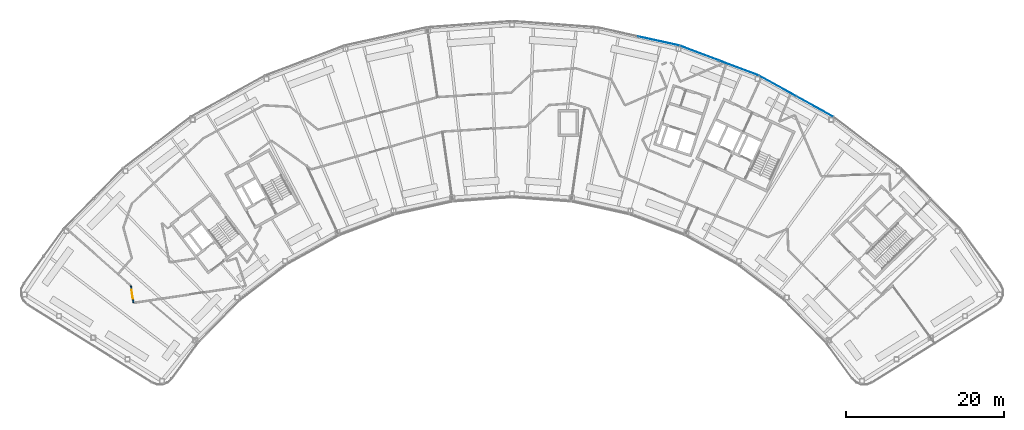
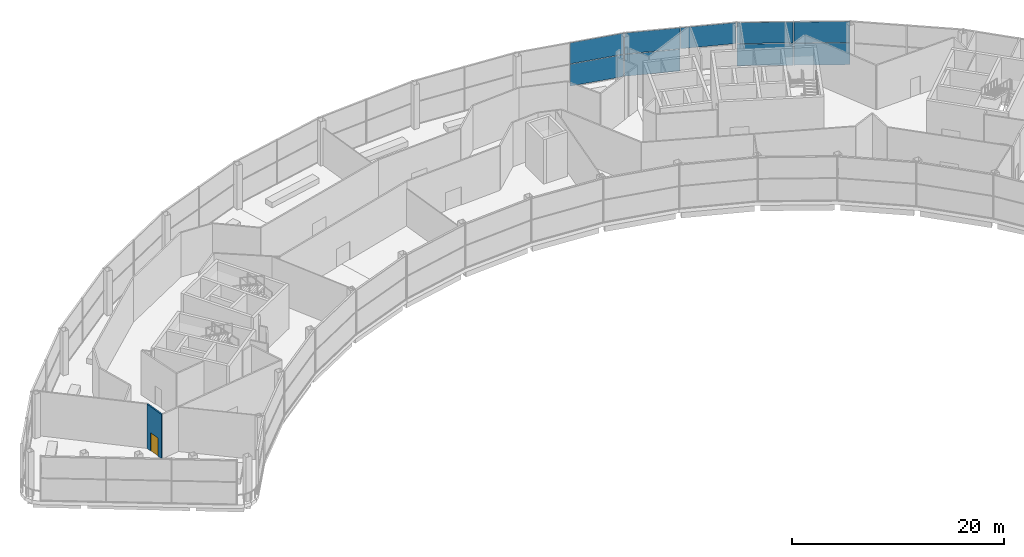
# One storey, part 35 of 43: 9 plates, 1 door, 1 wall, 1 opening, 3 elements without a shape of their own.
"""IFC4 building model written with IfcOpenShell, lengths in metres."""

from ifc_helpers import new_model, si_unit, direction, frame, frame_2d, origin, origin_2d, place, context, subcontext, project, spatial, rectangle, extrude, material, layer, layer_set, type_object, element, fill, aggregate, save


model = new_model("IFC4")

# Units and contexts
model_context = context("Model", 3, precision=1e-05, world=origin(), true_north=direction((0.0, 1.0)))
body_context = subcontext(model_context, "Body", "Model", "MODEL_VIEW")
ifc_project = project(units=[si_unit("LENGTHUNIT", "METRE"), si_unit("AREAUNIT", "SQUARE_METRE"), si_unit("VOLUMEUNIT", "CUBIC_METRE"), si_unit("PLANEANGLEUNIT", "RADIAN"), si_unit("MASSUNIT", "GRAM", prefix="KILO")], contexts=[model_context])

# Site, building, storey
site_placement = place(None, origin())
site = spatial("IfcSite", under=ifc_project, at=site_placement, CompositionType="ELEMENT")
building_placement = place(site_placement, origin())
building = spatial("IfcBuilding", under=site, at=building_placement, Name="Tuul Gate Civic Tower", CompositionType="ELEMENT")
storey_placement = place(building_placement, frame((0.0, 0.0, 349.10009765625)))
storey = spatial("IfcBuildingStorey", under=building, at=storey_placement, Name="Observation level 1", CompositionType="ELEMENT", Elevation=349.10009765625)

# Curtain wall, plates
ifc_material_1 = material(Name="Stainless steel", Category="steel")
ifc_layer_1 = layer(ifc_material_1, 0.199951171875)
ifc_layer_set_1 = layer_set([ifc_layer_1], Name="Stainless steel")
curtain_wall_type = type_object("IfcCurtainWallType", Name="Curtain wall CW4", PredefinedType="NOTDEFINED", material=ifc_layer_set_1)
curtain_wall_1_placement = place(storey_placement, origin())
curtain_wall_1 = element("IfcCurtainWall", 1, at=curtain_wall_1_placement, inside=storey, type_object=curtain_wall_type, Name="Curtain wall CW4", PredefinedType="NOTDEFINED")
ifc_material_2 = material(Name="Laminated glass", Category="glass")
ifc_layer_2 = layer(ifc_material_2, 0.0400390625)
ifc_layer_set_2 = layer_set([ifc_layer_2], Name="Laminated glass")
plate_type = type_object("IfcPlateType", Name="CW4 panel", PredefinedType="CURTAIN_PANEL", material=ifc_layer_set_2)
plate_1_placement = place(storey_placement, frame((40.478759765625, 3.4921875, 0.06005859375), z_axis=(0.0, 0.0, 1.0), x_axis=(-0.874631068374, 0.48478912347, 0.0)))
plate_1 = element("IfcPlate", 2, at=plate_1_placement, type_object=plate_type, Name="Panel", PredefinedType="CURTAIN_PANEL", context=body_context, shape_type="SweptSolid", body=[
    extrude(rectangle(XDim=5.281494140625, YDim=0.0400390625, at=origin_2d()), origin(), (0.0, 0.0, 1.0), 2.510009765625),
])
plate_2_placement = place(storey_placement, frame((40.478759765625, 3.4921875, 2.6298828125), z_axis=(0.0, 0.0, 1.0), x_axis=(-0.874631068374, 0.48478912347, 0.0)))
plate_2 = element("IfcPlate", 3, at=plate_2_placement, type_object=plate_type, Name="Panel", PredefinedType="CURTAIN_PANEL", context=body_context, shape_type="SweptSolid", body=[
    extrude(rectangle(XDim=5.281494140625, YDim=0.0400390625, at=origin_2d()), origin(), (0.0, 0.0, 1.0), 2.409912109375),
])
plate_3_placement = place(storey_placement, frame((35.80712890625, 6.081787109375, 0.06005859375), z_axis=(0.0, 0.0, 1.0), x_axis=(-0.874631068374, 0.48478912347, 0.0)))
plate_3 = element("IfcPlate", 4, at=plate_3_placement, type_object=plate_type, Name="Panel", PredefinedType="CURTAIN_PANEL", context=body_context, shape_type="SweptSolid", body=[
    extrude(rectangle(XDim=5.281494140625, YDim=0.0400390625, at=origin_2d()), origin(), (0.0, 0.0, 1.0), 2.510009765625),
])
plate_4_placement = place(storey_placement, frame((35.80712890625, 6.081787109375, 2.6298828125), z_axis=(0.0, 0.0, 1.0), x_axis=(-0.874631068374, 0.48478912347, 0.0)))
plate_4 = element("IfcPlate", 5, at=plate_4_placement, type_object=plate_type, Name="Panel", PredefinedType="CURTAIN_PANEL", context=body_context, shape_type="SweptSolid", body=[
    extrude(rectangle(XDim=5.281494140625, YDim=0.0400390625, at=origin_2d()), origin(), (0.0, 0.0, 1.0), 2.409912109375),
])
aggregate(curtain_wall_1, [plate_1, plate_2, plate_3, plate_4])

curtain_wall_2_placement = place(storey_placement, origin())
curtain_wall_2 = element("IfcCurtainWall", 6, at=curtain_wall_2_placement, inside=storey, type_object=curtain_wall_type, Name="Curtain wall CW4", PredefinedType="NOTDEFINED")
plate_5_placement = place(storey_placement, frame((30.9189453125, 8.34619140625, 2.6298828125), z_axis=(0.0, 0.0, 1.0), x_axis=(-0.935346200905, 0.35373363489, 0.0)))
plate_5 = element("IfcPlate", 7, at=plate_5_placement, type_object=plate_type, Name="Panel", PredefinedType="CURTAIN_PANEL", context=body_context, shape_type="SweptSolid", body=[
    extrude(rectangle(XDim=5.28125, YDim=0.0400390625, at=origin_2d()), origin(), (0.0, 0.0, 1.0), 2.409912109375),
])
plate_6_placement = place(storey_placement, frame((25.923095703125, 10.235595703125, 0.06005859375), z_axis=(0.0, 0.0, 1.0), x_axis=(-0.935346200905, 0.35373363489, 0.0)))
plate_6 = element("IfcPlate", 8, at=plate_6_placement, type_object=plate_type, Name="Panel", PredefinedType="CURTAIN_PANEL", context=body_context, shape_type="SweptSolid", body=[
    extrude(rectangle(XDim=5.28125, YDim=0.0400390625, at=origin_2d()), origin(), (0.0, 0.0, 1.0), 2.510009765625),
])
plate_7_placement = place(storey_placement, frame((25.923095703125, 10.235595703125, 2.6298828125), z_axis=(0.0, 0.0, 1.0), x_axis=(-0.935346200905, 0.35373363489, 0.0)))
plate_7 = element("IfcPlate", 9, at=plate_7_placement, type_object=plate_type, Name="Panel", PredefinedType="CURTAIN_PANEL", context=body_context, shape_type="SweptSolid", body=[
    extrude(rectangle(XDim=5.28125, YDim=0.0400390625, at=origin_2d()), origin(), (0.0, 0.0, 1.0), 2.409912109375),
])
aggregate(curtain_wall_2, [plate_5, plate_6, plate_7])

curtain_wall_3_placement = place(storey_placement, origin())
curtain_wall_3 = element("IfcCurtainWall", 10, at=curtain_wall_3_placement, inside=storey, type_object=curtain_wall_type, Name="Curtain wall CW4", PredefinedType="NOTDEFINED")
plate_8_placement = place(storey_placement, frame((20.759521484375, 11.772216796875, 0.06005859375), z_axis=(0.0, 0.0, 1.0), x_axis=(-0.976566659334, 0.215215147882, 0.0)))
plate_8 = element("IfcPlate", 11, at=plate_8_placement, type_object=plate_type, Name="Panel", PredefinedType="CURTAIN_PANEL", context=body_context, shape_type="SweptSolid", body=[
    extrude(rectangle(XDim=5.28125, YDim=0.0400390625, at=origin_2d()), origin(), (0.0, 0.0, 1.0), 2.510009765625),
])
plate_9_placement = place(storey_placement, frame((20.759521484375, 11.772216796875, 2.6298828125), z_axis=(0.0, 0.0, 1.0), x_axis=(-0.976566659334, 0.215215147882, 0.0)))
plate_9 = element("IfcPlate", 12, at=plate_9_placement, type_object=plate_type, Name="Panel", PredefinedType="CURTAIN_PANEL", context=body_context, shape_type="SweptSolid", body=[
    extrude(rectangle(XDim=5.28125, YDim=0.0400390625, at=origin_2d()), origin(), (0.0, 0.0, 1.0), 2.409912109375),
])
aggregate(curtain_wall_3, [plate_8, plate_9])

# Wall, opening, door
ifc_material_3 = material(Name="Gypsum board partition")
ifc_layer_3 = layer(ifc_material_3, 0.14990234375)
ifc_layer_set_3 = layer_set([ifc_layer_3], Name="Gypsum board partition")
wall_type = type_object("IfcWallType", Name="Corridor wall P150", PredefinedType="PARTITIONING", material=ifc_layer_set_3)
wall_placement = place(storey_placement, frame((-46.033203125, -19.199951171875, 0.0), z_axis=(0.0, 0.0, 1.0), x_axis=(0.147828372382, -0.989013029398, 0.0)))
wall = element("IfcWall", 13, at=wall_placement, inside=storey, type_object=wall_type, Name="p047", PredefinedType="PARTITIONING", context=body_context, shape_type="SweptSolid", body=[
    extrude(rectangle(XDim=2.191650390625, YDim=0.14990234375, at=frame_2d((1.095703125, 0.0))), origin(), (0.0, 0.0, 1.0), 5.099853515625),
])
opening_placement = place(wall_placement, frame((0.545654296875, 0.0, 0.0)))
opening = element("IfcOpeningElement", 14, at=opening_placement, cuts=wall, Name="Opening AD-D06", PredefinedType="OPENING", context=body_context, shape_type="SweptSolid", body=[
    extrude(rectangle(XDim=1.10009765625, YDim=2.10009765625, at=frame_2d((0.550048828125, 1.050048828125))), frame((0.0, 0.0849609375, 0.0), z_axis=(0.0, -1.0, 0.0), x_axis=(1.0, 0.0, 0.0)), (0.0, 0.0, 1.0), 0.169921875),
])
ifc_material_4 = material(Name="Timber door leaf", Category="wood")
door_type = type_object("IfcDoorType", Name="Door D11", OperationType="NOTDEFINED", PredefinedType="DOOR", material=ifc_material_4)
door_placement = place(opening_placement, frame((1.10009765625, 0.0, 0.0), z_axis=(0.0, 0.0, 1.0), x_axis=(-1.0, 0.0, 0.0)))
door = element("IfcDoor", 15, at=door_placement, inside=storey, type_object=door_type, Name="Door AD-D06", OperationType="SINGLE_SWING_RIGHT", OverallHeight=2.10009765625, OverallWidth=1.10009765625, PredefinedType="DOOR", context=body_context, shape_type="SweptSolid", body=[
    extrude(rectangle(XDim=1.10009765625, YDim=2.10009765625, at=frame_2d((0.550048828125, 1.050048828125))), frame((0.0, 0.02490234375, 0.0), z_axis=(0.0, -1.0, 0.0), x_axis=(1.0, 0.0, 0.0)), (0.0, 0.0, 1.0), 0.050048828125),
])
fill(opening, door)

save(model, "model.ifc")
